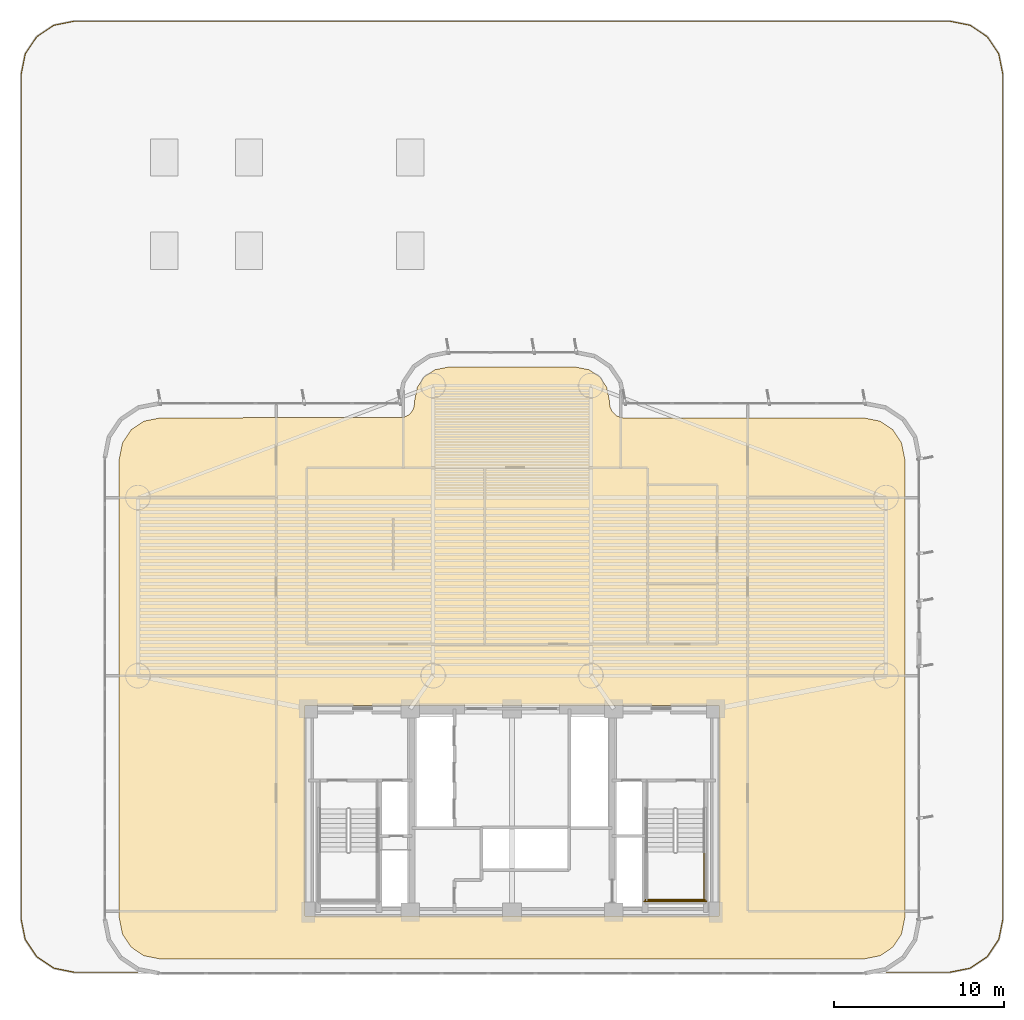
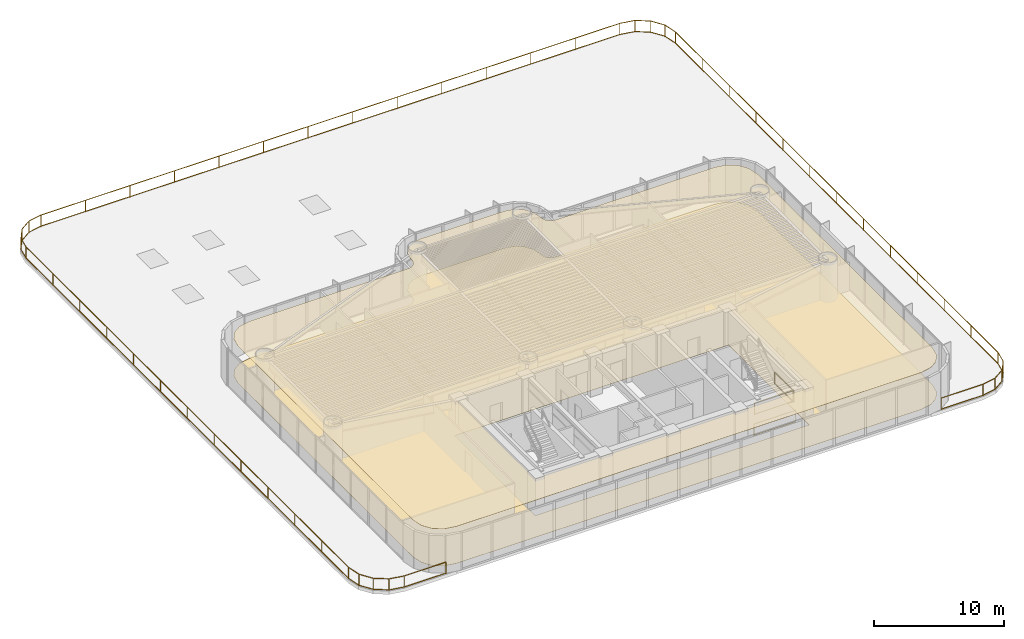
# One storey, part 15 of 17: 4 railings, 2 coverings.
"""IFC4 building model written with IfcOpenShell, lengths in metres."""

from ifc_helpers import new_model, si_unit, direction, frame, origin, origin_2d, place, context, subcontext, project, spatial, polyline, rectangle, outline, extrude, material, layer, layer_set, type_object, element, save


model = new_model("IFC4")

# Units and contexts
model_context = context("Model", 3, precision=1e-05, world=origin(), true_north=direction((0.0, 1.0)))
body_context = subcontext(model_context, "Body", "Model", "MODEL_VIEW")
ifc_project = project(units=[si_unit("LENGTHUNIT", "METRE"), si_unit("AREAUNIT", "SQUARE_METRE"), si_unit("VOLUMEUNIT", "CUBIC_METRE"), si_unit("PLANEANGLEUNIT", "RADIAN"), si_unit("MASSUNIT", "GRAM", prefix="KILO")], contexts=[model_context])

# Site, building, storey
site_placement = place(None, origin())
site = spatial("IfcSite", under=ifc_project, at=site_placement, CompositionType="ELEMENT")
building_placement = place(site_placement, origin())
building = spatial("IfcBuilding", under=site, at=building_placement, Name="Brelvock Crest Care Tower", CompositionType="ELEMENT")
storey_placement = place(building_placement, frame((0.0, 0.0, 27.0)))
storey = spatial("IfcBuildingStorey", under=building, at=storey_placement, Name="L06", CompositionType="ELEMENT", Elevation=27.0)

# Coverings
ifc_material_1 = material(Name="Mineral Fibre Acoustic Ceiling Tile", Category="gypsum")
ifc_layer_1 = layer(ifc_material_1, 0.02490234375, Name="COV-CLG1")
ifc_layer_set_1 = layer_set([ifc_layer_1], Name="Mineral Fibre Acoustic Ceiling Tile")
covering_type_1 = type_object("IfcCoveringType", Name="COV-CLG1", PredefinedType="CEILING", material=ifc_layer_set_1)
covering_1_placement = place(storey_placement, frame((0.0, 0.0, 3.47509765625)))
element("IfcCovering", 1, at=covering_1_placement, inside=storey, type_object=covering_type_1, Name="L06 Acoustic Suspended Ceiling 1", PredefinedType="CEILING", context=body_context, shape_type="SweptSolid", body=[
    extrude(outline(polyline([(56.71630859375, 35.14990234375), (42.5166015625, 35.154052734375), (42.353271484375, 35.1865234375), (42.127685546875, 35.293212890625), (41.893310546875, 35.52783203125), (41.766357421875, 35.834228515625), (41.75, 36.1162109375), (41.586181640625, 36.939697265625), (41.1669921875, 37.567138671875), (40.539794921875, 37.986083984375), (39.71630859375, 38.14990234375), (32.28369140625, 38.14990234375), (31.460205078125, 37.986083984375), (30.8330078125, 37.567138671875), (30.413818359375, 36.939697265625), (30.25, 36.1162109375), (30.233642578125, 35.834228515625), (30.149658203125, 35.599365234375), (30.0009765625, 35.39892578125), (29.872314453125, 35.293212890625), (29.56591796875, 35.166259765625), (15.28369140625, 35.14990234375), (14.30712890625, 34.955810546875), (13.550048828125, 34.449951171875), (13.044189453125, 33.69287109375), (12.85009765625, 32.71630859375), (12.85009765625, 5.68359375), (13.044189453125, 4.70703125), (13.550048828125, 3.9501953125), (14.30712890625, 3.4443359375), (15.28369140625, 3.25), (56.71630859375, 3.25), (57.69287109375, 3.4443359375), (58.449951171875, 3.9501953125), (58.955810546875, 4.70703125), (59.14990234375, 5.68359375), (59.14990234375, 32.71630859375), (58.955810546875, 33.69287109375), (58.449951171875, 34.449951171875), (57.69287109375, 34.955810546875), (56.71630859375, 35.14990234375)]), holes=[polyline([(48.199951171875, 5.800048828125), (48.199951171875, 18.199951171875), (23.800048828125, 18.199951171875), (23.800048828125, 5.800048828125), (48.199951171875, 5.800048828125)])]), origin(), (0.0, 0.0, 1.0), 0.02490234375),
])
ifc_material_2 = material(Name="Slip-Resistant Acoustic Vinyl Flooring", Category="finish")
ifc_layer_2 = layer(ifc_material_2, 0.014892578125, Name="COV-FLR1")
ifc_layer_set_2 = layer_set([ifc_layer_2], Name="Slip-Resistant Acoustic Vinyl Flooring")
covering_type_2 = type_object("IfcCoveringType", Name="COV-FLR1", PredefinedType="FLOORING", material=ifc_layer_set_2)
covering_2_placement = place(storey_placement, origin())
element("IfcCovering", 2, at=covering_2_placement, inside=storey, type_object=covering_type_2, Name="L06 Slip-Resistant Acoustic Flooring 1", PredefinedType="FLOORING", context=body_context, shape_type="SweptSolid", body=[
    extrude(outline(polyline([(56.71630859375, 35.14990234375), (42.5166015625, 35.154052734375), (42.353271484375, 35.1865234375), (42.127685546875, 35.293212890625), (41.893310546875, 35.52783203125), (41.766357421875, 35.834228515625), (41.75, 36.1162109375), (41.586181640625, 36.939697265625), (41.1669921875, 37.567138671875), (40.539794921875, 37.986083984375), (39.71630859375, 38.14990234375), (32.28369140625, 38.14990234375), (31.460205078125, 37.986083984375), (30.8330078125, 37.567138671875), (30.413818359375, 36.939697265625), (30.25, 36.1162109375), (30.233642578125, 35.834228515625), (30.149658203125, 35.599365234375), (30.0009765625, 35.39892578125), (29.872314453125, 35.293212890625), (29.56591796875, 35.166259765625), (15.28369140625, 35.14990234375), (14.30712890625, 34.955810546875), (13.550048828125, 34.449951171875), (13.044189453125, 33.69287109375), (12.85009765625, 32.71630859375), (12.85009765625, 5.68359375), (13.044189453125, 4.70703125), (13.550048828125, 3.9501953125), (14.30712890625, 3.4443359375), (15.28369140625, 3.25), (56.71630859375, 3.25), (57.69287109375, 3.4443359375), (58.449951171875, 3.9501953125), (58.955810546875, 4.70703125), (59.14990234375, 5.68359375), (59.14990234375, 32.71630859375), (58.955810546875, 33.69287109375), (58.449951171875, 34.449951171875), (57.69287109375, 34.955810546875), (56.71630859375, 35.14990234375)]), holes=[polyline([(48.199951171875, 5.800048828125), (48.199951171875, 18.199951171875), (23.800048828125, 18.199951171875), (23.800048828125, 5.800048828125), (48.199951171875, 5.800048828125)])]), origin(), (0.0, 0.0, 1.0), 0.014892578125),
])

# Railings
ifc_material_3 = material(Name="Dark Glass Double Glazed Low-E", Category="glass")
ifc_layer_3 = layer(ifc_material_3, 0.06005859375, Name="RL-BAL1")
ifc_layer_set_3 = layer_set([ifc_layer_3], Name="Dark Glass Double Glazed Low-E")
railing_type_1 = type_object("IfcRailingType", Name="RL-BAL1", PredefinedType="BALUSTRADE", material=ifc_layer_set_3)
railing_1_placement = place(storey_placement, frame((13.928466796875, 2.469970703125, 0.00390625)))
element("IfcRailing", 3, at=railing_1_placement, inside=storey, type_object=railing_type_1, Name="L06 Safety Balustrade SLB-TERR-L06-1-1", PredefinedType="BALUSTRADE", context=body_context, shape_type="SweptSolid", body=[
    extrude(rectangle(XDim=0.048095703125, YDim=0.048095703125, at=origin_2d()), frame((-0.001953125, 0.0, 1.09619140625), z_axis=(-1.0, 0.0, 0.0), x_axis=(0.0, -1.0, 0.0)), (0.0, 0.0, 1.0), 3.7177734375),
    extrude(rectangle(XDim=0.048095703125, YDim=0.048095703125, at=origin_2d()), frame((-0.001953125, 0.0, 0.054931640625), z_axis=(-1.0, 0.0, 0.0), x_axis=(0.0, -1.0, 0.0)), (0.0, 0.0, 1.0), 3.7177734375),
    extrude(rectangle(XDim=0.048095703125, YDim=0.048095703125, at=origin_2d()), frame((-3.7236328125, 0.00048828125, 1.09619140625), z_axis=(-0.980786642434, 0.195083474499, 0.0), x_axis=(-0.195083474499, -0.980786642434, 0.0)), (0.0, 0.0, 1.0), 1.2236328125),
    extrude(rectangle(XDim=0.048095703125, YDim=0.048095703125, at=origin_2d()), frame((-3.7236328125, 0.00048828125, 0.054931640625), z_axis=(-0.980786642434, 0.195083474499, 0.0), x_axis=(-0.195083474499, -0.980786642434, 0.0)), (0.0, 0.0, 1.0), 1.2236328125),
    extrude(rectangle(XDim=0.048095703125, YDim=0.048095703125, at=origin_2d()), frame((-4.927490234375, 0.24072265625, 1.09619140625), z_axis=(-0.831434372207, 0.555622969928, 0.0), x_axis=(-0.555622969928, -0.831434372207, 0.0)), (0.0, 0.0, 1.0), 1.216552734375),
    extrude(rectangle(XDim=0.048095703125, YDim=0.048095703125, at=origin_2d()), frame((-4.927490234375, 0.24072265625, 0.054931640625), z_axis=(-0.831434372207, 0.555622969928, 0.0), x_axis=(-0.555622969928, -0.831434372207, 0.0)), (0.0, 0.0, 1.0), 1.216552734375),
    extrude(rectangle(XDim=0.048095703125, YDim=0.048095703125, at=origin_2d()), frame((-5.94189453125, 0.91943359375, 1.09619140625), z_axis=(-0.555622969928, 0.831434372207, 0.0), x_axis=(-0.831434372207, -0.555622969928, 0.0)), (0.0, 0.0, 1.0), 1.216552734375),
    extrude(rectangle(XDim=0.048095703125, YDim=0.048095703125, at=origin_2d()), frame((-5.94189453125, 0.91943359375, 0.054931640625), z_axis=(-0.555622969928, 0.831434372207, 0.0), x_axis=(-0.831434372207, -0.555622969928, 0.0)), (0.0, 0.0, 1.0), 1.216552734375),
    extrude(rectangle(XDim=0.048095703125, YDim=0.048095703125, at=origin_2d()), frame((-6.619384765625, 1.9345703125, 1.09619140625), z_axis=(-0.195045432487, 0.980794208418, 0.0), x_axis=(-0.980794208418, -0.195045432487, 0.0)), (0.0, 0.0, 1.0), 1.223876953125),
    extrude(rectangle(XDim=0.048095703125, YDim=0.048095703125, at=origin_2d()), frame((-6.619384765625, 1.9345703125, 0.054931640625), z_axis=(-0.195045432487, 0.980794208418, 0.0), x_axis=(-0.980794208418, -0.195045432487, 0.0)), (0.0, 0.0, 1.0), 1.223876953125),
    extrude(rectangle(XDim=0.048095703125, YDim=0.048095703125, at=origin_2d()), frame((-6.8583984375, 3.138916015625, 1.09619140625), z_axis=(0.0, 1.0, 0.0), x_axis=(-1.0, 0.0, 0.0)), (0.0, 0.0, 1.0), 49.7822265625),
    extrude(rectangle(XDim=0.048095703125, YDim=0.048095703125, at=origin_2d()), frame((-6.8583984375, 3.138916015625, 0.054931640625), z_axis=(0.0, 1.0, 0.0), x_axis=(-1.0, 0.0, 0.0)), (0.0, 0.0, 1.0), 49.7822265625),
    extrude(rectangle(XDim=0.048095703125, YDim=0.048095703125, at=origin_2d()), frame((-6.85791015625, 52.925048828125, 1.09619140625), z_axis=(0.195045432487, 0.980794208418, 0.0), x_axis=(-0.980794208418, 0.195045432487, 0.0)), (0.0, 0.0, 1.0), 1.223876953125),
    extrude(rectangle(XDim=0.048095703125, YDim=0.048095703125, at=origin_2d()), frame((-6.85791015625, 52.925048828125, 0.054931640625), z_axis=(0.195045432487, 0.980794208418, 0.0), x_axis=(-0.980794208418, 0.195045432487, 0.0)), (0.0, 0.0, 1.0), 1.223876953125),
    extrude(rectangle(XDim=0.048095703125, YDim=0.048095703125, at=origin_2d()), frame((-6.61767578125, 54.129150390625, 1.09619140625), z_axis=(0.555622969928, 0.831434372207, 0.0), x_axis=(-0.831434372207, 0.555622969928, 0.0)), (0.0, 0.0, 1.0), 1.216552734375),
    extrude(rectangle(XDim=0.048095703125, YDim=0.048095703125, at=origin_2d()), frame((-6.61767578125, 54.129150390625, 0.054931640625), z_axis=(0.555622969928, 0.831434372207, 0.0), x_axis=(-0.831434372207, 0.555622969928, 0.0)), (0.0, 0.0, 1.0), 1.216552734375),
    extrude(rectangle(XDim=0.048095703125, YDim=0.048095703125, at=origin_2d()), frame((-5.93896484375, 55.1435546875, 1.09619140625), z_axis=(0.831434372207, 0.555622969928, 0.0), x_axis=(-0.555622969928, 0.831434372207, 0.0)), (0.0, 0.0, 1.0), 1.216552734375),
    extrude(rectangle(XDim=0.048095703125, YDim=0.048095703125, at=origin_2d()), frame((-5.93896484375, 55.1435546875, 0.054931640625), z_axis=(0.831434372207, 0.555622969928, 0.0), x_axis=(-0.555622969928, 0.831434372207, 0.0)), (0.0, 0.0, 1.0), 1.216552734375),
    extrude(rectangle(XDim=0.048095703125, YDim=0.048095703125, at=origin_2d()), frame((-4.923828125, 55.821044921875, 1.09619140625), z_axis=(0.980786642434, 0.195083474499, 0.0), x_axis=(-0.195083474499, 0.980786642434, 0.0)), (0.0, 0.0, 1.0), 1.2236328125),
    extrude(rectangle(XDim=0.048095703125, YDim=0.048095703125, at=origin_2d()), frame((-4.923828125, 55.821044921875, 0.054931640625), z_axis=(0.980786642434, 0.195083474499, 0.0), x_axis=(-0.195083474499, 0.980786642434, 0.0)), (0.0, 0.0, 1.0), 1.2236328125),
    extrude(rectangle(XDim=0.048095703125, YDim=0.048095703125, at=origin_2d()), frame((-3.7197265625, 56.06005859375, 1.09619140625), z_axis=(1.0, 0.0, 0.0), x_axis=(0.0, 1.0, 0.0)), (0.0, 0.0, 1.0), 51.58251953125),
    extrude(rectangle(XDim=0.048095703125, YDim=0.048095703125, at=origin_2d()), frame((-3.7197265625, 56.06005859375, 0.054931640625), z_axis=(1.0, 0.0, 0.0), x_axis=(0.0, 1.0, 0.0)), (0.0, 0.0, 1.0), 51.58251953125),
    extrude(rectangle(XDim=0.048095703125, YDim=0.048095703125, at=origin_2d()), frame((47.86669921875, 56.0595703125, 1.09619140625), z_axis=(0.980786642434, -0.195083474499, 0.0), x_axis=(0.195083474499, 0.980786642434, 0.0)), (0.0, 0.0, 1.0), 1.2236328125),
    extrude(rectangle(XDim=0.048095703125, YDim=0.048095703125, at=origin_2d()), frame((47.86669921875, 56.0595703125, 0.054931640625), z_axis=(0.980786642434, -0.195083474499, 0.0), x_axis=(0.195083474499, 0.980786642434, 0.0)), (0.0, 0.0, 1.0), 1.2236328125),
    extrude(rectangle(XDim=0.048095703125, YDim=0.048095703125, at=origin_2d()), frame((49.070556640625, 55.8193359375, 1.09619140625), z_axis=(0.831434372207, -0.555622969928, 0.0), x_axis=(0.555622969928, 0.831434372207, 0.0)), (0.0, 0.0, 1.0), 1.216552734375),
    extrude(rectangle(XDim=0.048095703125, YDim=0.048095703125, at=origin_2d()), frame((49.070556640625, 55.8193359375, 0.054931640625), z_axis=(0.831434372207, -0.555622969928, 0.0), x_axis=(0.555622969928, 0.831434372207, 0.0)), (0.0, 0.0, 1.0), 1.216552734375),
    extrude(rectangle(XDim=0.048095703125, YDim=0.048095703125, at=origin_2d()), frame((50.0849609375, 55.140625, 1.09619140625), z_axis=(0.555622969928, -0.831434372207, 0.0), x_axis=(0.831434372207, 0.555622969928, 0.0)), (0.0, 0.0, 1.0), 1.216552734375),
    extrude(rectangle(XDim=0.048095703125, YDim=0.048095703125, at=origin_2d()), frame((50.0849609375, 55.140625, 0.054931640625), z_axis=(0.555622969928, -0.831434372207, 0.0), x_axis=(0.831434372207, 0.555622969928, 0.0)), (0.0, 0.0, 1.0), 1.216552734375),
    extrude(rectangle(XDim=0.048095703125, YDim=0.048095703125, at=origin_2d()), frame((50.762451171875, 54.12548828125, 1.09619140625), z_axis=(0.195045432487, -0.980794208418, 0.0), x_axis=(0.980794208418, 0.195045432487, 0.0)), (0.0, 0.0, 1.0), 1.223876953125),
    extrude(rectangle(XDim=0.048095703125, YDim=0.048095703125, at=origin_2d()), frame((50.762451171875, 54.12548828125, 0.054931640625), z_axis=(0.195045432487, -0.980794208418, 0.0), x_axis=(0.980794208418, 0.195045432487, 0.0)), (0.0, 0.0, 1.0), 1.223876953125),
    extrude(rectangle(XDim=0.048095703125, YDim=0.048095703125, at=origin_2d()), frame((51.00146484375, 52.921142578125, 1.09619140625), z_axis=(0.0, -1.0, 0.0), x_axis=(1.0, 0.0, 0.0)), (0.0, 0.0, 1.0), 49.7822265625),
    extrude(rectangle(XDim=0.048095703125, YDim=0.048095703125, at=origin_2d()), frame((51.00146484375, 52.921142578125, 0.054931640625), z_axis=(0.0, -1.0, 0.0), x_axis=(1.0, 0.0, 0.0)), (0.0, 0.0, 1.0), 49.7822265625),
    extrude(rectangle(XDim=0.048095703125, YDim=0.048095703125, at=origin_2d()), frame((51.0009765625, 3.135009765625, 1.09619140625), z_axis=(-0.195045432487, -0.980794208418, 0.0), x_axis=(0.980794208418, -0.195045432487, 0.0)), (0.0, 0.0, 1.0), 1.223876953125),
    extrude(rectangle(XDim=0.048095703125, YDim=0.048095703125, at=origin_2d()), frame((51.0009765625, 3.135009765625, 0.054931640625), z_axis=(-0.195045432487, -0.980794208418, 0.0), x_axis=(0.980794208418, -0.195045432487, 0.0)), (0.0, 0.0, 1.0), 1.223876953125),
    extrude(rectangle(XDim=0.048095703125, YDim=0.048095703125, at=origin_2d()), frame((50.7607421875, 1.930908203125, 1.09619140625), z_axis=(-0.555622969928, -0.831434372207, 0.0), x_axis=(0.831434372207, -0.555622969928, 0.0)), (0.0, 0.0, 1.0), 1.216552734375),
    extrude(rectangle(XDim=0.048095703125, YDim=0.048095703125, at=origin_2d()), frame((50.7607421875, 1.930908203125, 0.054931640625), z_axis=(-0.555622969928, -0.831434372207, 0.0), x_axis=(0.831434372207, -0.555622969928, 0.0)), (0.0, 0.0, 1.0), 1.216552734375),
    extrude(rectangle(XDim=0.048095703125, YDim=0.048095703125, at=origin_2d()), frame((50.08203125, 0.91650390625, 1.09619140625), z_axis=(-0.831434372207, -0.555622969928, 0.0), x_axis=(0.555622969928, -0.831434372207, 0.0)), (0.0, 0.0, 1.0), 1.216552734375),
    extrude(rectangle(XDim=0.048095703125, YDim=0.048095703125, at=origin_2d()), frame((50.08203125, 0.91650390625, 0.054931640625), z_axis=(-0.831434372207, -0.555622969928, 0.0), x_axis=(0.555622969928, -0.831434372207, 0.0)), (0.0, 0.0, 1.0), 1.216552734375),
    extrude(rectangle(XDim=0.048095703125, YDim=0.048095703125, at=origin_2d()), frame((49.06689453125, 0.239013671875, 1.09619140625), z_axis=(-0.980786642434, -0.195083474499, 0.0), x_axis=(0.195083474499, -0.980786642434, 0.0)), (0.0, 0.0, 1.0), 1.2236328125),
    extrude(rectangle(XDim=0.048095703125, YDim=0.048095703125, at=origin_2d()), frame((49.06689453125, 0.239013671875, 0.054931640625), z_axis=(-0.980786642434, -0.195083474499, 0.0), x_axis=(0.195083474499, -0.980786642434, 0.0)), (0.0, 0.0, 1.0), 1.2236328125),
    extrude(rectangle(XDim=0.048095703125, YDim=0.048095703125, at=origin_2d()), frame((47.86279296875, 0.0, 1.09619140625), z_axis=(-1.0, 0.0, 0.0), x_axis=(0.0, -1.0, 0.0)), (0.0, 0.0, 1.0), 3.7177734375),
    extrude(rectangle(XDim=0.048095703125, YDim=0.048095703125, at=origin_2d()), frame((47.86279296875, 0.0, 0.054931640625), z_axis=(-1.0, 0.0, 0.0), x_axis=(0.0, -1.0, 0.0)), (0.0, 0.0, 1.0), 3.7177734375),
    extrude(rectangle(XDim=0.0419921875, YDim=0.0419921875, at=origin_2d()), origin(), (0.0, 0.0, 1.0), 1.070068359375),
    extrude(rectangle(XDim=0.0419921875, YDim=0.0419921875, at=origin_2d()), frame((-3.7216796875, 0.0, 0.0)), (0.0, 0.0, 1.0), 1.070068359375),
    extrude(rectangle(XDim=0.0419921875, YDim=0.0419921875, at=origin_2d()), frame((-4.92578125, 0.239501953125, 0.0)), (0.0, 0.0, 1.0), 1.070068359375),
    extrude(rectangle(XDim=0.0419921875, YDim=0.0419921875, at=origin_2d()), frame((-5.940673828125, 0.917724609375, 0.0)), (0.0, 0.0, 1.0), 1.070068359375),
    extrude(rectangle(XDim=0.0419921875, YDim=0.0419921875, at=origin_2d()), frame((-6.618896484375, 1.9326171875, 0.0)), (0.0, 0.0, 1.0), 1.070068359375),
    extrude(rectangle(XDim=0.0419921875, YDim=0.0419921875, at=origin_2d()), frame((-6.8583984375, 3.136962890625, 0.0)), (0.0, 0.0, 1.0), 1.070068359375),
    extrude(rectangle(XDim=0.0419921875, YDim=0.0419921875, at=origin_2d()), frame((-6.8583984375, 7.285888671875, 0.0)), (0.0, 0.0, 1.0), 1.070068359375),
    extrude(rectangle(XDim=0.0419921875, YDim=0.0419921875, at=origin_2d()), frame((-6.8583984375, 11.4345703125, 0.0)), (0.0, 0.0, 1.0), 1.070068359375),
    extrude(rectangle(XDim=0.0419921875, YDim=0.0419921875, at=origin_2d()), frame((-6.8583984375, 15.58349609375, 0.0)), (0.0, 0.0, 1.0), 1.070068359375),
    extrude(rectangle(XDim=0.0419921875, YDim=0.0419921875, at=origin_2d()), frame((-6.8583984375, 19.732421875, 0.0)), (0.0, 0.0, 1.0), 1.070068359375),
    extrude(rectangle(XDim=0.0419921875, YDim=0.0419921875, at=origin_2d()), frame((-6.8583984375, 23.881103515625, 0.0)), (0.0, 0.0, 1.0), 1.070068359375),
    extrude(rectangle(XDim=0.0419921875, YDim=0.0419921875, at=origin_2d()), frame((-6.8583984375, 28.030029296875, 0.0)), (0.0, 0.0, 1.0), 1.070068359375),
    extrude(rectangle(XDim=0.0419921875, YDim=0.0419921875, at=origin_2d()), frame((-6.8583984375, 32.178955078125, 0.0)), (0.0, 0.0, 1.0), 1.070068359375),
    extrude(rectangle(XDim=0.0419921875, YDim=0.0419921875, at=origin_2d()), frame((-6.8583984375, 36.32763671875, 0.0)), (0.0, 0.0, 1.0), 1.070068359375),
    extrude(rectangle(XDim=0.0419921875, YDim=0.0419921875, at=origin_2d()), frame((-6.8583984375, 40.4765625, 0.0)), (0.0, 0.0, 1.0), 1.070068359375),
    extrude(rectangle(XDim=0.0419921875, YDim=0.0419921875, at=origin_2d()), frame((-6.8583984375, 44.62548828125, 0.0)), (0.0, 0.0, 1.0), 1.070068359375),
    extrude(rectangle(XDim=0.0419921875, YDim=0.0419921875, at=origin_2d()), frame((-6.8583984375, 48.774169921875, 0.0)), (0.0, 0.0, 1.0), 1.070068359375),
    extrude(rectangle(XDim=0.0419921875, YDim=0.0419921875, at=origin_2d()), frame((-6.8583984375, 52.923095703125, 0.0)), (0.0, 0.0, 1.0), 1.070068359375),
    extrude(rectangle(XDim=0.0419921875, YDim=0.0419921875, at=origin_2d()), frame((-6.618896484375, 54.12744140625, 0.0)), (0.0, 0.0, 1.0), 1.070068359375),
    extrude(rectangle(XDim=0.0419921875, YDim=0.0419921875, at=origin_2d()), frame((-5.940673828125, 55.142333984375, 0.0)), (0.0, 0.0, 1.0), 1.070068359375),
    extrude(rectangle(XDim=0.0419921875, YDim=0.0419921875, at=origin_2d()), frame((-4.92578125, 55.820556640625, 0.0)), (0.0, 0.0, 1.0), 1.070068359375),
    extrude(rectangle(XDim=0.0419921875, YDim=0.0419921875, at=origin_2d()), frame((-3.7216796875, 56.06005859375, 0.0)), (0.0, 0.0, 1.0), 1.070068359375),
    extrude(rectangle(XDim=0.0419921875, YDim=0.0419921875, at=origin_2d()), frame((0.24658203125, 56.06005859375, 0.0)), (0.0, 0.0, 1.0), 1.070068359375),
    extrude(rectangle(XDim=0.0419921875, YDim=0.0419921875, at=origin_2d()), frame((4.214599609375, 56.06005859375, 0.0)), (0.0, 0.0, 1.0), 1.070068359375),
    extrude(rectangle(XDim=0.0419921875, YDim=0.0419921875, at=origin_2d()), frame((8.182861328125, 56.06005859375, 0.0)), (0.0, 0.0, 1.0), 1.070068359375),
    extrude(rectangle(XDim=0.0419921875, YDim=0.0419921875, at=origin_2d()), frame((12.151123046875, 56.06005859375, 0.0)), (0.0, 0.0, 1.0), 1.070068359375),
    extrude(rectangle(XDim=0.0419921875, YDim=0.0419921875, at=origin_2d()), frame((16.119140625, 56.06005859375, 0.0)), (0.0, 0.0, 1.0), 1.070068359375),
    extrude(rectangle(XDim=0.0419921875, YDim=0.0419921875, at=origin_2d()), frame((20.08740234375, 56.06005859375, 0.0)), (0.0, 0.0, 1.0), 1.070068359375),
    extrude(rectangle(XDim=0.0419921875, YDim=0.0419921875, at=origin_2d()), frame((24.0556640625, 56.06005859375, 0.0)), (0.0, 0.0, 1.0), 1.070068359375),
    extrude(rectangle(XDim=0.0419921875, YDim=0.0419921875, at=origin_2d()), frame((28.02392578125, 56.06005859375, 0.0)), (0.0, 0.0, 1.0), 1.070068359375),
    extrude(rectangle(XDim=0.0419921875, YDim=0.0419921875, at=origin_2d()), frame((31.991943359375, 56.06005859375, 0.0)), (0.0, 0.0, 1.0), 1.070068359375),
    extrude(rectangle(XDim=0.0419921875, YDim=0.0419921875, at=origin_2d()), frame((35.960205078125, 56.06005859375, 0.0)), (0.0, 0.0, 1.0), 1.070068359375),
    extrude(rectangle(XDim=0.0419921875, YDim=0.0419921875, at=origin_2d()), frame((39.928466796875, 56.06005859375, 0.0)), (0.0, 0.0, 1.0), 1.070068359375),
    extrude(rectangle(XDim=0.0419921875, YDim=0.0419921875, at=origin_2d()), frame((43.896484375, 56.06005859375, 0.0)), (0.0, 0.0, 1.0), 1.070068359375),
    extrude(rectangle(XDim=0.0419921875, YDim=0.0419921875, at=origin_2d()), frame((47.86474609375, 56.06005859375, 0.0)), (0.0, 0.0, 1.0), 1.070068359375),
    extrude(rectangle(XDim=0.0419921875, YDim=0.0419921875, at=origin_2d()), frame((49.06884765625, 55.820556640625, 0.0)), (0.0, 0.0, 1.0), 1.070068359375),
    extrude(rectangle(XDim=0.0419921875, YDim=0.0419921875, at=origin_2d()), frame((50.083740234375, 55.142333984375, 0.0)), (0.0, 0.0, 1.0), 1.070068359375),
    extrude(rectangle(XDim=0.0419921875, YDim=0.0419921875, at=origin_2d()), frame((50.761962890625, 54.12744140625, 0.0)), (0.0, 0.0, 1.0), 1.070068359375),
    extrude(rectangle(XDim=0.0419921875, YDim=0.0419921875, at=origin_2d()), frame((51.00146484375, 52.923095703125, 0.0)), (0.0, 0.0, 1.0), 1.070068359375),
    extrude(rectangle(XDim=0.0419921875, YDim=0.0419921875, at=origin_2d()), frame((51.00146484375, 48.774169921875, 0.0)), (0.0, 0.0, 1.0), 1.070068359375),
    extrude(rectangle(XDim=0.0419921875, YDim=0.0419921875, at=origin_2d()), frame((51.00146484375, 44.62548828125, 0.0)), (0.0, 0.0, 1.0), 1.070068359375),
    extrude(rectangle(XDim=0.0419921875, YDim=0.0419921875, at=origin_2d()), frame((51.00146484375, 40.4765625, 0.0)), (0.0, 0.0, 1.0), 1.070068359375),
    extrude(rectangle(XDim=0.0419921875, YDim=0.0419921875, at=origin_2d()), frame((51.00146484375, 36.32763671875, 0.0)), (0.0, 0.0, 1.0), 1.070068359375),
    extrude(rectangle(XDim=0.0419921875, YDim=0.0419921875, at=origin_2d()), frame((51.00146484375, 32.178955078125, 0.0)), (0.0, 0.0, 1.0), 1.070068359375),
    extrude(rectangle(XDim=0.0419921875, YDim=0.0419921875, at=origin_2d()), frame((51.00146484375, 28.030029296875, 0.0)), (0.0, 0.0, 1.0), 1.070068359375),
    extrude(rectangle(XDim=0.0419921875, YDim=0.0419921875, at=origin_2d()), frame((51.00146484375, 23.881103515625, 0.0)), (0.0, 0.0, 1.0), 1.070068359375),
    extrude(rectangle(XDim=0.0419921875, YDim=0.0419921875, at=origin_2d()), frame((51.00146484375, 19.732421875, 0.0)), (0.0, 0.0, 1.0), 1.070068359375),
    extrude(rectangle(XDim=0.0419921875, YDim=0.0419921875, at=origin_2d()), frame((51.00146484375, 15.58349609375, 0.0)), (0.0, 0.0, 1.0), 1.070068359375),
    extrude(rectangle(XDim=0.0419921875, YDim=0.0419921875, at=origin_2d()), frame((51.00146484375, 11.4345703125, 0.0)), (0.0, 0.0, 1.0), 1.070068359375),
    extrude(rectangle(XDim=0.0419921875, YDim=0.0419921875, at=origin_2d()), frame((51.00146484375, 7.285888671875, 0.0)), (0.0, 0.0, 1.0), 1.070068359375),
    extrude(rectangle(XDim=0.0419921875, YDim=0.0419921875, at=origin_2d()), frame((51.00146484375, 3.136962890625, 0.0)), (0.0, 0.0, 1.0), 1.070068359375),
    extrude(rectangle(XDim=0.0419921875, YDim=0.0419921875, at=origin_2d()), frame((50.761962890625, 1.9326171875, 0.0)), (0.0, 0.0, 1.0), 1.070068359375),
    extrude(rectangle(XDim=0.0419921875, YDim=0.0419921875, at=origin_2d()), frame((50.083740234375, 0.917724609375, 0.0)), (0.0, 0.0, 1.0), 1.070068359375),
    extrude(rectangle(XDim=0.0419921875, YDim=0.0419921875, at=origin_2d()), frame((49.06884765625, 0.239501953125, 0.0)), (0.0, 0.0, 1.0), 1.070068359375),
    extrude(rectangle(XDim=0.0419921875, YDim=0.0419921875, at=origin_2d()), frame((47.86474609375, 0.0, 0.0)), (0.0, 0.0, 1.0), 1.070068359375),
    extrude(rectangle(XDim=0.0419921875, YDim=0.0419921875, at=origin_2d()), frame((44.14306640625, 0.0, 0.0)), (0.0, 0.0, 1.0), 1.070068359375),
])
ifc_material_4 = material(Name="Steel Grade 350", Category="steel")
ifc_layer_4 = layer(ifc_material_4, 0.050048828125, Name="RL-STG1")
ifc_layer_set_4 = layer_set([ifc_layer_4], Name="Steel Grade 350")
railing_type_2 = type_object("IfcRailingType", Name="RL-STG1", PredefinedType="GUARDRAIL", material=ifc_layer_set_4)
railing_2_placement = place(storey_placement, frame((47.320068359375, 9.56005859375, 1.889892578125)))
element("IfcRailing", 4, at=railing_2_placement, inside=storey, type_object=railing_type_2, Name="L06 ST-2 stair guard 4", PredefinedType="GUARDRAIL", context=body_context, shape_type="SweptSolid", body=[
    extrude(rectangle(XDim=0.048095703125, YDim=0.048095703125, at=origin_2d()), frame((0.0, -0.001953125, 1.11572265625), z_axis=(0.0, -1.0, 0.0), x_axis=(1.0, 0.0, 0.0)), (0.0, 0.0, 1.0), 2.856201171875),
    extrude(rectangle(XDim=0.048095703125, YDim=0.048095703125, at=origin_2d()), frame((0.0, -0.001953125, 0.054931640625), z_axis=(0.0, -1.0, 0.0), x_axis=(1.0, 0.0, 0.0)), (0.0, 0.0, 1.0), 2.856201171875),
    extrude(rectangle(XDim=0.0419921875, YDim=0.0419921875, at=origin_2d()), origin(), (0.0, 0.0, 1.0), 1.08984375),
    extrude(rectangle(XDim=0.0419921875, YDim=0.0419921875, at=origin_2d()), frame((0.0, -2.860107421875, 0.0)), (0.0, 0.0, 1.0), 1.08984375),
])
railing_3_placement = place(storey_placement, frame((43.889892578125, 6.75, 1.889892578125)))
element("IfcRailing", 5, at=railing_3_placement, inside=storey, type_object=railing_type_2, Name="L06 ST-2 stair guard 5", PredefinedType="GUARDRAIL", context=body_context, shape_type="SweptSolid", body=[
    extrude(rectangle(XDim=0.048095703125, YDim=0.048095703125, at=origin_2d()), frame((0.001953125, 0.0, 1.11572265625), z_axis=(1.0, 0.0, 0.0), x_axis=(0.0, 1.0, 0.0)), (0.0, 0.0, 1.0), 3.476318359375),
    extrude(rectangle(XDim=0.048095703125, YDim=0.048095703125, at=origin_2d()), frame((0.001953125, 0.0, 0.054931640625), z_axis=(1.0, 0.0, 0.0), x_axis=(0.0, 1.0, 0.0)), (0.0, 0.0, 1.0), 3.476318359375),
    extrude(rectangle(XDim=0.0419921875, YDim=0.0419921875, at=origin_2d()), origin(), (0.0, 0.0, 1.0), 1.08984375),
    extrude(rectangle(XDim=0.0419921875, YDim=0.0419921875, at=origin_2d()), frame((3.480224609375, 0.0, 0.0)), (0.0, 0.0, 1.0), 1.08984375),
])
railing_4_placement = place(storey_placement, frame((43.7900390625, 6.64990234375, 0.0)))
element("IfcRailing", 6, at=railing_4_placement, inside=storey, type_object=railing_type_2, Name="L06 ST-2 stair guard 12", PredefinedType="GUARDRAIL", context=body_context, shape_type="SweptSolid", body=[
    extrude(rectangle(XDim=0.048095703125, YDim=0.048095703125, at=origin_2d()), frame((0.001953125, 0.0, 1.11572265625), z_axis=(1.0, 0.0, 0.0), x_axis=(0.0, 1.0, 0.0)), (0.0, 0.0, 1.0), 3.676025390625),
    extrude(rectangle(XDim=0.048095703125, YDim=0.048095703125, at=origin_2d()), frame((0.001953125, 0.0, 0.054931640625), z_axis=(1.0, 0.0, 0.0), x_axis=(0.0, 1.0, 0.0)), (0.0, 0.0, 1.0), 3.676025390625),
    extrude(rectangle(XDim=0.0419921875, YDim=0.0419921875, at=origin_2d()), origin(), (0.0, 0.0, 1.0), 1.08984375),
    extrude(rectangle(XDim=0.0419921875, YDim=0.0419921875, at=origin_2d()), frame((3.679931640625, 0.0, 0.0)), (0.0, 0.0, 1.0), 1.08984375),
])

save(model, "model.ifc")
